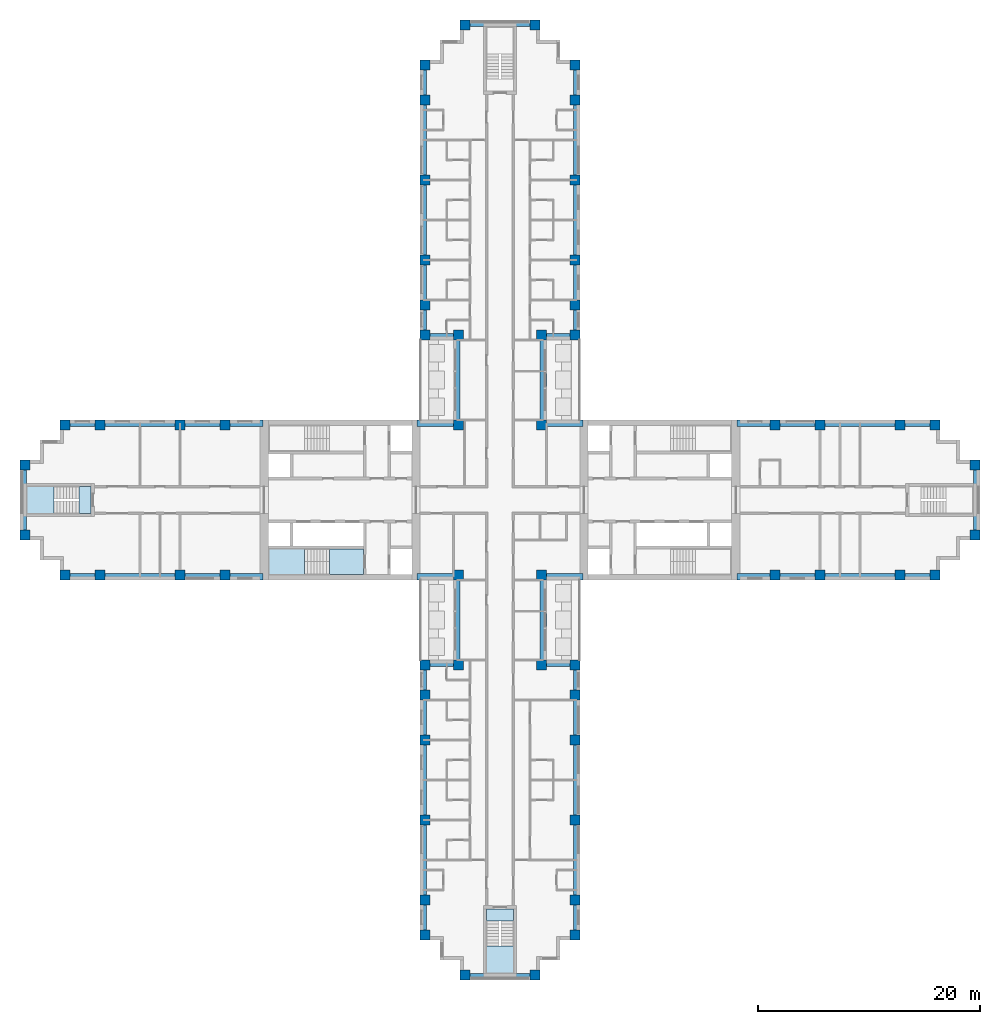
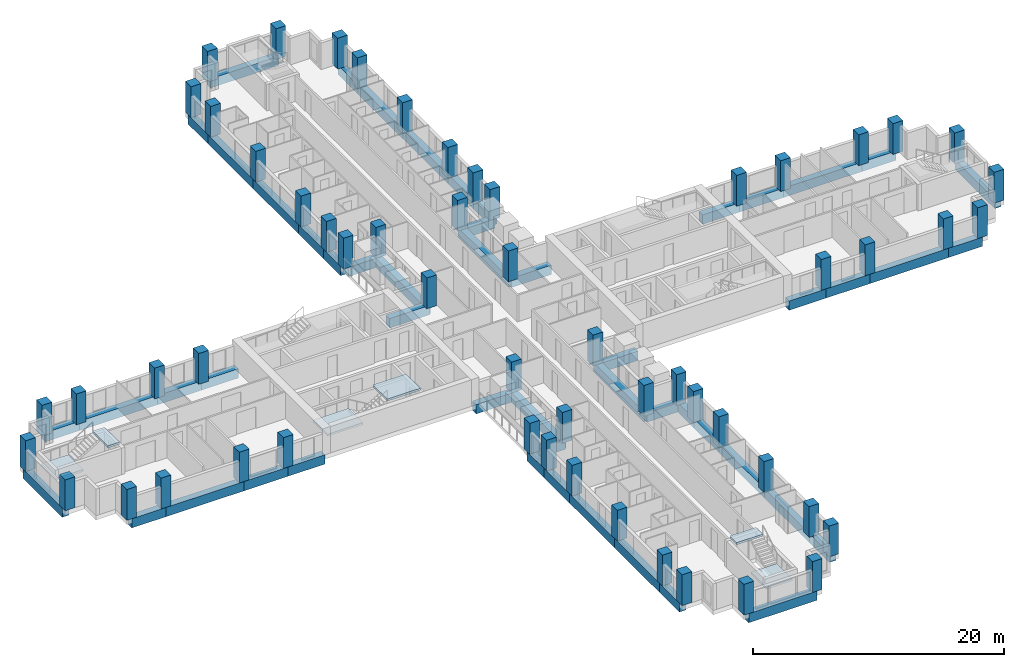
# One storey, part 1 of 15: 56 columns, 52 beams, 6 slabs, 3 elements without a shape of their own.
"""IFC4 building model written with IfcOpenShell, lengths in metres."""

from ifc_helpers import new_model, si_unit, direction, frame, origin, origin_2d, place, context, subcontext, project, spatial, polyline, rectangle, outline, extrude, material, layer, layer_set, material_profile, profile_set, type_object, element, aggregate, save


model = new_model("IFC4")

# Units and contexts
model_context = context("Model", 3, precision=1e-05, world=origin(), true_north=direction((0.0, 1.0)))
body_context = subcontext(model_context, "Body", "Model", "MODEL_VIEW")
ifc_project = project(units=[si_unit("LENGTHUNIT", "METRE"), si_unit("AREAUNIT", "SQUARE_METRE"), si_unit("VOLUMEUNIT", "CUBIC_METRE"), si_unit("PLANEANGLEUNIT", "RADIAN"), si_unit("MASSUNIT", "GRAM", prefix="KILO")], contexts=[model_context])

# Site, building, storey
site_placement = place(None, origin())
site = spatial("IfcSite", under=ifc_project, at=site_placement, CompositionType="ELEMENT")
building_placement = place(site_placement, origin())
building = spatial("IfcBuilding", under=site, at=building_placement, Name="Fustian Cross Tower", CompositionType="ELEMENT")
storey_placement = place(building_placement, frame((0.0, 0.0, 14.699951171875)))
storey = spatial("IfcBuildingStorey", under=building, at=storey_placement, Name="L03", CompositionType="ELEMENT", Elevation=14.699951171875)

# Columns
ifc_material_1 = material(Name="Concrete C70/85", Category="concrete")
ifc_material_profile_1 = material_profile(ifc_material_1, rectangle(XDim=0.89990234375, YDim=0.89990234375, at=origin_2d()), Name="RC 900x900")
ifc_profile_set_1 = profile_set([ifc_material_profile_1], Name="Concrete C70/85")
column_type = type_object("IfcColumnType", Name="COLUMN RC 900x900 C70/85", PredefinedType="COLUMN", material=ifc_profile_set_1)
for number, where, z_axis, x_axis, name in (
    (1, (-42.75, -3.14990234375, 0.0), (0.0, 0.0, 1.0), (1.0, 0.0, 0.0), "COLUMN 001"),
    (2, (-42.75, 3.14990234375, 0.0), (0.0, 0.0, 1.0), (1.0, 0.0, 0.0), "COLUMN 002"),
    (3, (-39.14990234375, -6.75, 0.0), (0.0, 0.0, 1.0), (1.0, 0.0, 0.0), "COLUMN 003"),
    (4, (-39.14990234375, 6.75, 0.0), (0.0, 0.0, 1.0), (1.0, 0.0, 0.0), "COLUMN 004"),
    (5, (-36.0, -6.75, 0.0), (0.0, 0.0, 1.0), (1.0, 0.0, 0.0), "COLUMN 005"),
    (6, (-36.0, 6.75, 0.0), (0.0, 0.0, 1.0), (1.0, 0.0, 0.0), "COLUMN 006"),
    (7, (-28.800048828125, -6.75, 0.0), (0.0, 0.0, 1.0), (1.0, 0.0, 0.0), "COLUMN 007"),
    (8, (-28.800048828125, 6.75, 0.0), (0.0, 0.0, 1.0), (1.0, 0.0, 0.0), "COLUMN 010"),
    (9, (-24.75, -6.75, 0.0), (0.0, 0.0, 1.0), (1.0, 0.0, 0.0), "COLUMN 011"),
    (10, (-24.75, 6.75, 0.0), (0.0, 0.0, 1.0), (1.0, 0.0, 0.0), "COLUMN 012"),
    (11, (-6.75, -39.14990234375, 0.0), (0.0, 0.0, 1.0), (1.0, 0.0, 0.0), "COLUMN 013"),
    (12, (-6.75, -36.0, 0.0), (0.0, 0.0, 1.0), (1.0, 0.0, 0.0), "COLUMN 014"),
    (13, (-6.75, -28.800048828125, 0.0), (0.0, 0.0, 1.0), (1.0, 0.0, 0.0), "COLUMN 015"),
    (14, (-6.75, -21.60009765625, 0.0), (0.0, 0.0, 1.0), (1.0, 0.0, 0.0), "COLUMN 016"),
    (15, (-6.75, -17.550048828125, 0.0), (0.0, 0.0, 1.0), (1.0, 0.0, 0.0), "COLUMN 017"),
    (16, (-6.75, -14.85009765625, 0.0), (0.0, 0.0, 1.0), (1.0, 0.0, 0.0), "COLUMN 018"),
    (17, (-6.75, 14.85009765625, 0.0), (0.0, 0.0, 1.0), (1.0, 0.0, 0.0), "COLUMN 019"),
    (18, (-6.75, 17.550048828125, 0.0), (0.0, 0.0, 1.0), (1.0, 0.0, 0.0), "COLUMN 020"),
    (19, (-6.75, 21.60009765625, 0.0), (0.0, 0.0, 1.0), (1.0, 0.0, 0.0), "COLUMN 021"),
    (20, (-6.75, 28.800048828125, 0.0), (0.0, 0.0, 1.0), (1.0, 0.0, 0.0), "COLUMN 022"),
    (21, (-6.75, 36.0, 0.0), (0.0, 0.0, 1.0), (1.0, 0.0, 0.0), "COLUMN 023"),
    (22, (-6.75, 39.14990234375, 0.0), (0.0, 0.0, 1.0), (1.0, 0.0, 0.0), "COLUMN 024"),
    (23, (-3.75, -14.85009765625, 0.0), (0.0, 0.0, 1.0), (1.0, 0.0, 0.0), "COLUMN 025"),
    (24, (-3.75, -6.75, 0.0), (0.0, 0.0, 1.0), (1.0, 0.0, 0.0), "COLUMN 026"),
    (25, (-3.75, 6.75, 0.0), (0.0, 0.0, 1.0), (1.0, 0.0, 0.0), "COLUMN 027"),
    (26, (-3.75, 14.85009765625, 0.0), (0.0, 0.0, 1.0), (1.0, 0.0, 0.0), "COLUMN 028"),
    (27, (-3.14990234375, -42.75, 0.0), (0.0, 0.0, 1.0), (1.0, 0.0, 0.0), "COLUMN 029"),
    (28, (-3.14990234375, 42.75, 0.0), (0.0, 0.0, 1.0), (1.0, 0.0, 0.0), "COLUMN 032"),
    (29, (3.14990234375, -42.75, 0.0), (0.0, 0.0, 1.0), (1.0, 0.0, 0.0), "COLUMN 033"),
    (30, (3.14990234375, 42.75, 0.0), (0.0, 0.0, 1.0), (1.0, 0.0, 0.0), "COLUMN 036"),
    (31, (3.75, -14.85009765625, 0.0), (0.0, 0.0, 1.0), (1.0, 0.0, 0.0), "COLUMN 037"),
    (32, (3.75, -6.75, 0.0), (0.0, 0.0, 1.0), (1.0, 0.0, 0.0), "COLUMN 038"),
    (33, (3.75, 6.75, 0.0), (0.0, 0.0, 1.0), (1.0, 0.0, 0.0), "COLUMN 039"),
    (34, (3.75, 14.85009765625, 0.0), (0.0, 0.0, 1.0), (1.0, 0.0, 0.0), "COLUMN 040"),
    (35, (6.75, -39.14990234375, 0.0), (0.0, 0.0, 1.0), (1.0, 0.0, 0.0), "COLUMN 041"),
    (36, (6.75, -36.0, 0.0), (0.0, 0.0, 1.0), (1.0, 0.0, 0.0), "COLUMN 042"),
    (37, (6.75, -28.800048828125, 0.0), (0.0, 0.0, 1.0), (1.0, 0.0, 0.0), "COLUMN 043"),
    (38, (6.75, -21.60009765625, 0.0), (0.0, 0.0, 1.0), (1.0, 0.0, 0.0), "COLUMN 044"),
    (39, (6.75, -17.550048828125, 0.0), (0.0, 0.0, 1.0), (1.0, 0.0, 0.0), "COLUMN 045"),
    (40, (6.75, -14.85009765625, 0.0), (0.0, 0.0, 1.0), (1.0, 0.0, 0.0), "COLUMN 046"),
    (41, (6.75, 14.85009765625, 0.0), (0.0, 0.0, 1.0), (1.0, 0.0, 0.0), "COLUMN 047"),
    (42, (6.75, 17.550048828125, 0.0), (0.0, 0.0, 1.0), (1.0, 0.0, 0.0), "COLUMN 048"),
    (43, (6.75, 21.60009765625, 0.0), (0.0, 0.0, 1.0), (1.0, 0.0, 0.0), "COLUMN 049"),
    (44, (6.75, 28.800048828125, 0.0), (0.0, 0.0, 1.0), (1.0, 0.0, 0.0), "COLUMN 050"),
    (45, (6.75, 36.0, 0.0), (0.0, 0.0, 1.0), (1.0, 0.0, 0.0), "COLUMN 051"),
    (46, (6.75, 39.14990234375, 0.0), (0.0, 0.0, 1.0), (1.0, 0.0, 0.0), "COLUMN 052"),
    (47, (24.75, -6.75, 0.0), (0.0, 0.0, 1.0), (1.0, 0.0, 0.0), "COLUMN 053"),
    (48, (24.75, 6.75, 0.0), (0.0, 0.0, 1.0), (1.0, 0.0, 0.0), "COLUMN 054"),
    (49, (28.800048828125, -6.75, 0.0), (0.0, 0.0, 1.0), (1.0, 0.0, 0.0), "COLUMN 055"),
    (50, (28.800048828125, 6.75, 0.0), (0.0, 0.0, 1.0), (1.0, 0.0, 0.0), "COLUMN 058"),
    (51, (36.0, -6.75, 0.0), (0.0, 0.0, 1.0), (1.0, 0.0, 0.0), "COLUMN 059"),
    (52, (36.0, 6.75, 0.0), (0.0, 0.0, 1.0), (1.0, 0.0, 0.0), "COLUMN 060"),
    (53, (39.14990234375, -6.75, 0.0), (0.0, 0.0, 1.0), (1.0, 0.0, 0.0), "COLUMN 061"),
    (54, (39.14990234375, 6.75, 0.0), (0.0, 0.0, 1.0), (1.0, 0.0, 0.0), "COLUMN 062"),
    (55, (42.75, -3.14990234375, 0.0), (0.0, 0.0, 1.0), (1.0, 0.0, 0.0), "COLUMN 063"),
    (56, (42.75, 3.14990234375, 0.0), (0.0, 0.0, 1.0), (1.0, 0.0, 0.0), "COLUMN 064"),
):
    element("IfcColumn", number, at=place(storey_placement, frame(where, z_axis=z_axis, x_axis=x_axis)), inside=storey, type_object=column_type, Name=name, PredefinedType="COLUMN", context=body_context, shape_type="SweptSolid", body=[
        extrude(rectangle(XDim=0.89990234375, YDim=0.89990234375, at=origin_2d()), origin(), (0.0, 0.0, 1.0), 3.0),
    ])

# Beams
ifc_material_2 = material(Name="Concrete C50/60", Category="concrete")
ifc_material_profile_2 = material_profile(ifc_material_2, rectangle(XDim=0.60009765625, YDim=0.89990234375, at=origin_2d()), Name="RC 600x900")
ifc_profile_set_2 = profile_set([ifc_material_profile_2], Name="Concrete C50/60")
beam_type = type_object("IfcBeamType", Name="EDGE BEAM RC 600x900 C50/60", PredefinedType="SPANDREL", material=ifc_profile_set_2)
beam_1_placement = place(storey_placement, frame((21.35009765625, -6.89990234375, -0.449951171875), z_axis=(1.0, 0.0, 0.0), x_axis=(0.0, 1.0, 0.0)))
element("IfcBeam", 57, at=beam_1_placement, inside=storey, type_object=beam_type, Name="EDGE BEAM L03-01", PredefinedType="SPANDREL", context=body_context, shape_type="SweptSolid", body=[
    extrude(rectangle(XDim=0.60009765625, YDim=0.89990234375, at=origin_2d()), origin(), (0.0, 0.0, 1.0), 3.39990234375),
])
beam_2_placement = place(storey_placement, frame((24.75, -6.89990234375, -0.449951171875), z_axis=(1.0, 0.0, 0.0), x_axis=(0.0, 1.0, 0.0)))
element("IfcBeam", 58, at=beam_2_placement, inside=storey, type_object=beam_type, Name="EDGE BEAM L03-02", PredefinedType="SPANDREL", context=body_context, shape_type="SweptSolid", body=[
    extrude(rectangle(XDim=0.60009765625, YDim=0.89990234375, at=origin_2d()), origin(), (0.0, 0.0, 1.0), 4.050048828125),
])
beam_3_placement = place(storey_placement, frame((28.800048828125, -6.89990234375, -0.449951171875), z_axis=(1.0, 0.0, 0.0), x_axis=(0.0, 1.0, 0.0)))
element("IfcBeam", 59, at=beam_3_placement, inside=storey, type_object=beam_type, Name="EDGE BEAM L03-03", PredefinedType="SPANDREL", context=body_context, shape_type="SweptSolid", body=[
    extrude(rectangle(XDim=0.60009765625, YDim=0.89990234375, at=origin_2d()), origin(), (0.0, 0.0, 1.0), 7.199951171875),
])
beam_4_placement = place(storey_placement, frame((36.0, -6.89990234375, -0.449951171875), z_axis=(1.0, 0.0, 0.0), x_axis=(0.0, 1.0, 0.0)))
element("IfcBeam", 60, at=beam_4_placement, inside=storey, type_object=beam_type, Name="EDGE BEAM L03-04", PredefinedType="SPANDREL", context=body_context, shape_type="SweptSolid", body=[
    extrude(rectangle(XDim=0.60009765625, YDim=0.89990234375, at=origin_2d()), origin(), (0.0, 0.0, 1.0), 3.14990234375),
])
beam_5_placement = place(storey_placement, frame((42.89990234375, -3.14990234375, -0.449951171875), z_axis=(0.0, 1.0, 0.0), x_axis=(-1.0, 0.0, 0.0)))
element("IfcBeam", 61, at=beam_5_placement, inside=storey, type_object=beam_type, Name="EDGE BEAM L03-05", PredefinedType="SPANDREL", context=body_context, shape_type="SweptSolid", body=[
    extrude(rectangle(XDim=0.60009765625, YDim=0.89990234375, at=origin_2d()), origin(), (0.0, 0.0, 1.0), 6.2998046875),
])
beam_6_placement = place(storey_placement, frame((39.14990234375, 6.89990234375, -0.449951171875), z_axis=(-1.0, 0.0, 0.0), x_axis=(0.0, -1.0, 0.0)))
element("IfcBeam", 62, at=beam_6_placement, inside=storey, type_object=beam_type, Name="EDGE BEAM L03-06", PredefinedType="SPANDREL", context=body_context, shape_type="SweptSolid", body=[
    extrude(rectangle(XDim=0.60009765625, YDim=0.89990234375, at=origin_2d()), origin(), (0.0, 0.0, 1.0), 3.14990234375),
])
beam_7_placement = place(storey_placement, frame((36.0, 6.89990234375, -0.449951171875), z_axis=(-1.0, 0.0, 0.0), x_axis=(0.0, -1.0, 0.0)))
element("IfcBeam", 63, at=beam_7_placement, inside=storey, type_object=beam_type, Name="EDGE BEAM L03-07", PredefinedType="SPANDREL", context=body_context, shape_type="SweptSolid", body=[
    extrude(rectangle(XDim=0.60009765625, YDim=0.89990234375, at=origin_2d()), origin(), (0.0, 0.0, 1.0), 7.199951171875),
])
beam_8_placement = place(storey_placement, frame((28.800048828125, 6.89990234375, -0.449951171875), z_axis=(-1.0, 0.0, 0.0), x_axis=(0.0, -1.0, 0.0)))
element("IfcBeam", 64, at=beam_8_placement, inside=storey, type_object=beam_type, Name="EDGE BEAM L03-08", PredefinedType="SPANDREL", context=body_context, shape_type="SweptSolid", body=[
    extrude(rectangle(XDim=0.60009765625, YDim=0.89990234375, at=origin_2d()), origin(), (0.0, 0.0, 1.0), 4.050048828125),
])
beam_9_placement = place(storey_placement, frame((24.75, 6.89990234375, -0.449951171875), z_axis=(-1.0, 0.0, 0.0), x_axis=(0.0, -1.0, 0.0)))
element("IfcBeam", 65, at=beam_9_placement, inside=storey, type_object=beam_type, Name="EDGE BEAM L03-09", PredefinedType="SPANDREL", context=body_context, shape_type="SweptSolid", body=[
    extrude(rectangle(XDim=0.60009765625, YDim=0.89990234375, at=origin_2d()), origin(), (0.0, 0.0, 1.0), 3.39990234375),
])
beam_10_placement = place(storey_placement, frame((7.449951171875, 6.89990234375, -0.449951171875), z_axis=(-1.0, 0.0, 0.0), x_axis=(0.0, -1.0, 0.0)))
element("IfcBeam", 66, at=beam_10_placement, inside=storey, type_object=beam_type, Name="EDGE BEAM L03-10", PredefinedType="SPANDREL", context=body_context, shape_type="SweptSolid", body=[
    extrude(rectangle(XDim=0.60009765625, YDim=0.89990234375, at=origin_2d()), origin(), (0.0, 0.0, 1.0), 3.699951171875),
])
beam_11_placement = place(storey_placement, frame((3.89990234375, 6.75, -0.449951171875), z_axis=(0.0, 1.0, 0.0), x_axis=(-1.0, 0.0, 0.0)))
element("IfcBeam", 67, at=beam_11_placement, inside=storey, type_object=beam_type, Name="EDGE BEAM L03-11", PredefinedType="SPANDREL", context=body_context, shape_type="SweptSolid", body=[
    extrude(rectangle(XDim=0.60009765625, YDim=0.89990234375, at=origin_2d()), origin(), (0.0, 0.0, 1.0), 8.10009765625),
])
beam_12_placement = place(storey_placement, frame((3.75, 14.699951171875, -0.449951171875), z_axis=(1.0, 0.0, 0.0), x_axis=(0.0, 1.0, 0.0)))
element("IfcBeam", 68, at=beam_12_placement, inside=storey, type_object=beam_type, Name="EDGE BEAM L03-12", PredefinedType="SPANDREL", context=body_context, shape_type="SweptSolid", body=[
    extrude(rectangle(XDim=0.60009765625, YDim=0.89990234375, at=origin_2d()), origin(), (0.0, 0.0, 1.0), 3.0),
])
beam_13_placement = place(storey_placement, frame((6.89990234375, 14.85009765625, -0.449951171875), z_axis=(0.0, 1.0, 0.0), x_axis=(-1.0, 0.0, 0.0)))
element("IfcBeam", 69, at=beam_13_placement, inside=storey, type_object=beam_type, Name="EDGE BEAM L03-13", PredefinedType="SPANDREL", context=body_context, shape_type="SweptSolid", body=[
    extrude(rectangle(XDim=0.60009765625, YDim=0.89990234375, at=origin_2d()), origin(), (0.0, 0.0, 1.0), 2.699951171875),
])
beam_14_placement = place(storey_placement, frame((6.89990234375, 17.550048828125, -0.449951171875), z_axis=(0.0, 1.0, 0.0), x_axis=(-1.0, 0.0, 0.0)))
element("IfcBeam", 70, at=beam_14_placement, inside=storey, type_object=beam_type, Name="EDGE BEAM L03-14", PredefinedType="SPANDREL", context=body_context, shape_type="SweptSolid", body=[
    extrude(rectangle(XDim=0.60009765625, YDim=0.89990234375, at=origin_2d()), origin(), (0.0, 0.0, 1.0), 4.050048828125),
])
for number, where, z_axis, x_axis, name in (
    (71, (6.89990234375, 21.60009765625, -0.449951171875), (0.0, 1.0, 0.0), (-1.0, 0.0, 0.0), "EDGE BEAM L03-15"),
    (72, (6.89990234375, 28.800048828125, -0.449951171875), (0.0, 1.0, 0.0), (-1.0, 0.0, 0.0), "EDGE BEAM L03-16"),
):
    element("IfcBeam", number, at=place(storey_placement, frame(where, z_axis=z_axis, x_axis=x_axis)), inside=storey, type_object=beam_type, Name=name, PredefinedType="SPANDREL", context=body_context, shape_type="SweptSolid", body=[
        extrude(rectangle(XDim=0.60009765625, YDim=0.89990234375, at=origin_2d()), origin(), (0.0, 0.0, 1.0), 7.199951171875),
    ])
beam_15_placement = place(storey_placement, frame((6.89990234375, 36.0, -0.449951171875), z_axis=(0.0, 1.0, 0.0), x_axis=(-1.0, 0.0, 0.0)))
element("IfcBeam", 73, at=beam_15_placement, inside=storey, type_object=beam_type, Name="EDGE BEAM L03-17", PredefinedType="SPANDREL", context=body_context, shape_type="SweptSolid", body=[
    extrude(rectangle(XDim=0.60009765625, YDim=0.89990234375, at=origin_2d()), origin(), (0.0, 0.0, 1.0), 3.14990234375),
])
beam_16_placement = place(storey_placement, frame((3.14990234375, 42.89990234375, -0.449951171875), z_axis=(-1.0, 0.0, 0.0), x_axis=(0.0, -1.0, 0.0)))
element("IfcBeam", 74, at=beam_16_placement, inside=storey, type_object=beam_type, Name="EDGE BEAM L03-18", PredefinedType="SPANDREL", context=body_context, shape_type="SweptSolid", body=[
    extrude(rectangle(XDim=0.60009765625, YDim=0.89990234375, at=origin_2d()), origin(), (0.0, 0.0, 1.0), 6.2998046875),
])
beam_17_placement = place(storey_placement, frame((-6.89990234375, 39.14990234375, -0.449951171875), z_axis=(0.0, -1.0, 0.0), x_axis=(1.0, 0.0, 0.0)))
element("IfcBeam", 75, at=beam_17_placement, inside=storey, type_object=beam_type, Name="EDGE BEAM L03-19", PredefinedType="SPANDREL", context=body_context, shape_type="SweptSolid", body=[
    extrude(rectangle(XDim=0.60009765625, YDim=0.89990234375, at=origin_2d()), origin(), (0.0, 0.0, 1.0), 3.14990234375),
])
for number, where, z_axis, x_axis, name in (
    (76, (-6.89990234375, 36.0, -0.449951171875), (0.0, -1.0, 0.0), (1.0, 0.0, 0.0), "EDGE BEAM L03-20"),
    (77, (-6.89990234375, 28.800048828125, -0.449951171875), (0.0, -1.0, 0.0), (1.0, 0.0, 0.0), "EDGE BEAM L03-21"),
):
    element("IfcBeam", number, at=place(storey_placement, frame(where, z_axis=z_axis, x_axis=x_axis)), inside=storey, type_object=beam_type, Name=name, PredefinedType="SPANDREL", context=body_context, shape_type="SweptSolid", body=[
        extrude(rectangle(XDim=0.60009765625, YDim=0.89990234375, at=origin_2d()), origin(), (0.0, 0.0, 1.0), 7.199951171875),
    ])
beam_18_placement = place(storey_placement, frame((-6.89990234375, 21.60009765625, -0.449951171875), z_axis=(0.0, -1.0, 0.0), x_axis=(1.0, 0.0, 0.0)))
element("IfcBeam", 78, at=beam_18_placement, inside=storey, type_object=beam_type, Name="EDGE BEAM L03-22", PredefinedType="SPANDREL", context=body_context, shape_type="SweptSolid", body=[
    extrude(rectangle(XDim=0.60009765625, YDim=0.89990234375, at=origin_2d()), origin(), (0.0, 0.0, 1.0), 4.050048828125),
])
beam_19_placement = place(storey_placement, frame((-6.89990234375, 17.550048828125, -0.449951171875), z_axis=(0.0, -1.0, 0.0), x_axis=(1.0, 0.0, 0.0)))
element("IfcBeam", 79, at=beam_19_placement, inside=storey, type_object=beam_type, Name="EDGE BEAM L03-23", PredefinedType="SPANDREL", context=body_context, shape_type="SweptSolid", body=[
    extrude(rectangle(XDim=0.60009765625, YDim=0.89990234375, at=origin_2d()), origin(), (0.0, 0.0, 1.0), 2.699951171875),
])
beam_20_placement = place(storey_placement, frame((-6.75, 14.699951171875, -0.449951171875), z_axis=(1.0, 0.0, 0.0), x_axis=(0.0, 1.0, 0.0)))
element("IfcBeam", 80, at=beam_20_placement, inside=storey, type_object=beam_type, Name="EDGE BEAM L03-24", PredefinedType="SPANDREL", context=body_context, shape_type="SweptSolid", body=[
    extrude(rectangle(XDim=0.60009765625, YDim=0.89990234375, at=origin_2d()), origin(), (0.0, 0.0, 1.0), 3.0),
])
beam_21_placement = place(storey_placement, frame((-3.89990234375, 14.85009765625, -0.449951171875), z_axis=(0.0, -1.0, 0.0), x_axis=(1.0, 0.0, 0.0)))
element("IfcBeam", 81, at=beam_21_placement, inside=storey, type_object=beam_type, Name="EDGE BEAM L03-25", PredefinedType="SPANDREL", context=body_context, shape_type="SweptSolid", body=[
    extrude(rectangle(XDim=0.60009765625, YDim=0.89990234375, at=origin_2d()), origin(), (0.0, 0.0, 1.0), 8.10009765625),
])
beam_22_placement = place(storey_placement, frame((-3.75, 6.89990234375, -0.449951171875), z_axis=(-1.0, 0.0, 0.0), x_axis=(0.0, -1.0, 0.0)))
element("IfcBeam", 82, at=beam_22_placement, inside=storey, type_object=beam_type, Name="EDGE BEAM L03-26", PredefinedType="SPANDREL", context=body_context, shape_type="SweptSolid", body=[
    extrude(rectangle(XDim=0.60009765625, YDim=0.89990234375, at=origin_2d()), origin(), (0.0, 0.0, 1.0), 3.699951171875),
])
beam_23_placement = place(storey_placement, frame((-21.35009765625, 6.89990234375, -0.449951171875), z_axis=(-1.0, 0.0, 0.0), x_axis=(0.0, -1.0, 0.0)))
element("IfcBeam", 83, at=beam_23_placement, inside=storey, type_object=beam_type, Name="EDGE BEAM L03-27", PredefinedType="SPANDREL", context=body_context, shape_type="SweptSolid", body=[
    extrude(rectangle(XDim=0.60009765625, YDim=0.89990234375, at=origin_2d()), origin(), (0.0, 0.0, 1.0), 3.39990234375),
])
beam_24_placement = place(storey_placement, frame((-24.75, 6.89990234375, -0.449951171875), z_axis=(-1.0, 0.0, 0.0), x_axis=(0.0, -1.0, 0.0)))
element("IfcBeam", 84, at=beam_24_placement, inside=storey, type_object=beam_type, Name="EDGE BEAM L03-28", PredefinedType="SPANDREL", context=body_context, shape_type="SweptSolid", body=[
    extrude(rectangle(XDim=0.60009765625, YDim=0.89990234375, at=origin_2d()), origin(), (0.0, 0.0, 1.0), 4.050048828125),
])
beam_25_placement = place(storey_placement, frame((-28.800048828125, 6.89990234375, -0.449951171875), z_axis=(-1.0, 0.0, 0.0), x_axis=(0.0, -1.0, 0.0)))
element("IfcBeam", 85, at=beam_25_placement, inside=storey, type_object=beam_type, Name="EDGE BEAM L03-29", PredefinedType="SPANDREL", context=body_context, shape_type="SweptSolid", body=[
    extrude(rectangle(XDim=0.60009765625, YDim=0.89990234375, at=origin_2d()), origin(), (0.0, 0.0, 1.0), 7.199951171875),
])
beam_26_placement = place(storey_placement, frame((-36.0, 6.89990234375, -0.449951171875), z_axis=(-1.0, 0.0, 0.0), x_axis=(0.0, -1.0, 0.0)))
element("IfcBeam", 86, at=beam_26_placement, inside=storey, type_object=beam_type, Name="EDGE BEAM L03-30", PredefinedType="SPANDREL", context=body_context, shape_type="SweptSolid", body=[
    extrude(rectangle(XDim=0.60009765625, YDim=0.89990234375, at=origin_2d()), origin(), (0.0, 0.0, 1.0), 3.14990234375),
])
beam_27_placement = place(storey_placement, frame((-42.89990234375, 3.14990234375, -0.449951171875), z_axis=(0.0, -1.0, 0.0), x_axis=(1.0, 0.0, 0.0)))
element("IfcBeam", 87, at=beam_27_placement, inside=storey, type_object=beam_type, Name="EDGE BEAM L03-31", PredefinedType="SPANDREL", context=body_context, shape_type="SweptSolid", body=[
    extrude(rectangle(XDim=0.60009765625, YDim=0.89990234375, at=origin_2d()), origin(), (0.0, 0.0, 1.0), 6.2998046875),
])
beam_28_placement = place(storey_placement, frame((-39.14990234375, -6.89990234375, -0.449951171875), z_axis=(1.0, 0.0, 0.0), x_axis=(0.0, 1.0, 0.0)))
element("IfcBeam", 88, at=beam_28_placement, inside=storey, type_object=beam_type, Name="EDGE BEAM L03-32", PredefinedType="SPANDREL", context=body_context, shape_type="SweptSolid", body=[
    extrude(rectangle(XDim=0.60009765625, YDim=0.89990234375, at=origin_2d()), origin(), (0.0, 0.0, 1.0), 3.14990234375),
])
beam_29_placement = place(storey_placement, frame((-36.0, -6.89990234375, -0.449951171875), z_axis=(1.0, 0.0, 0.0), x_axis=(0.0, 1.0, 0.0)))
element("IfcBeam", 89, at=beam_29_placement, inside=storey, type_object=beam_type, Name="EDGE BEAM L03-33", PredefinedType="SPANDREL", context=body_context, shape_type="SweptSolid", body=[
    extrude(rectangle(XDim=0.60009765625, YDim=0.89990234375, at=origin_2d()), origin(), (0.0, 0.0, 1.0), 7.199951171875),
])
beam_30_placement = place(storey_placement, frame((-28.800048828125, -6.89990234375, -0.449951171875), z_axis=(1.0, 0.0, 0.0), x_axis=(0.0, 1.0, 0.0)))
element("IfcBeam", 90, at=beam_30_placement, inside=storey, type_object=beam_type, Name="EDGE BEAM L03-34", PredefinedType="SPANDREL", context=body_context, shape_type="SweptSolid", body=[
    extrude(rectangle(XDim=0.60009765625, YDim=0.89990234375, at=origin_2d()), origin(), (0.0, 0.0, 1.0), 4.050048828125),
])
beam_31_placement = place(storey_placement, frame((-24.75, -6.89990234375, -0.449951171875), z_axis=(1.0, 0.0, 0.0), x_axis=(0.0, 1.0, 0.0)))
element("IfcBeam", 91, at=beam_31_placement, inside=storey, type_object=beam_type, Name="EDGE BEAM L03-35", PredefinedType="SPANDREL", context=body_context, shape_type="SweptSolid", body=[
    extrude(rectangle(XDim=0.60009765625, YDim=0.89990234375, at=origin_2d()), origin(), (0.0, 0.0, 1.0), 3.39990234375),
])
beam_32_placement = place(storey_placement, frame((-7.449951171875, -6.89990234375, -0.449951171875), z_axis=(1.0, 0.0, 0.0), x_axis=(0.0, 1.0, 0.0)))
element("IfcBeam", 92, at=beam_32_placement, inside=storey, type_object=beam_type, Name="EDGE BEAM L03-36", PredefinedType="SPANDREL", context=body_context, shape_type="SweptSolid", body=[
    extrude(rectangle(XDim=0.60009765625, YDim=0.89990234375, at=origin_2d()), origin(), (0.0, 0.0, 1.0), 3.699951171875),
])
beam_33_placement = place(storey_placement, frame((-3.89990234375, -6.75, -0.449951171875), z_axis=(0.0, -1.0, 0.0), x_axis=(1.0, 0.0, 0.0)))
element("IfcBeam", 93, at=beam_33_placement, inside=storey, type_object=beam_type, Name="EDGE BEAM L03-37", PredefinedType="SPANDREL", context=body_context, shape_type="SweptSolid", body=[
    extrude(rectangle(XDim=0.60009765625, YDim=0.89990234375, at=origin_2d()), origin(), (0.0, 0.0, 1.0), 8.10009765625),
])
beam_34_placement = place(storey_placement, frame((-3.75, -14.699951171875, -0.449951171875), z_axis=(-1.0, 0.0, 0.0), x_axis=(0.0, -1.0, 0.0)))
element("IfcBeam", 94, at=beam_34_placement, inside=storey, type_object=beam_type, Name="EDGE BEAM L03-38", PredefinedType="SPANDREL", context=body_context, shape_type="SweptSolid", body=[
    extrude(rectangle(XDim=0.60009765625, YDim=0.89990234375, at=origin_2d()), origin(), (0.0, 0.0, 1.0), 3.0),
])
beam_35_placement = place(storey_placement, frame((-6.89990234375, -14.85009765625, -0.449951171875), z_axis=(0.0, -1.0, 0.0), x_axis=(1.0, 0.0, 0.0)))
element("IfcBeam", 95, at=beam_35_placement, inside=storey, type_object=beam_type, Name="EDGE BEAM L03-39", PredefinedType="SPANDREL", context=body_context, shape_type="SweptSolid", body=[
    extrude(rectangle(XDim=0.60009765625, YDim=0.89990234375, at=origin_2d()), origin(), (0.0, 0.0, 1.0), 2.699951171875),
])
beam_36_placement = place(storey_placement, frame((-6.89990234375, -17.550048828125, -0.449951171875), z_axis=(0.0, -1.0, 0.0), x_axis=(1.0, 0.0, 0.0)))
element("IfcBeam", 96, at=beam_36_placement, inside=storey, type_object=beam_type, Name="EDGE BEAM L03-40", PredefinedType="SPANDREL", context=body_context, shape_type="SweptSolid", body=[
    extrude(rectangle(XDim=0.60009765625, YDim=0.89990234375, at=origin_2d()), origin(), (0.0, 0.0, 1.0), 4.050048828125),
])
for number, where, z_axis, x_axis, name in (
    (97, (-6.89990234375, -21.60009765625, -0.449951171875), (0.0, -1.0, 0.0), (1.0, 0.0, 0.0), "EDGE BEAM L03-41"),
    (98, (-6.89990234375, -28.800048828125, -0.449951171875), (0.0, -1.0, 0.0), (1.0, 0.0, 0.0), "EDGE BEAM L03-42"),
):
    element("IfcBeam", number, at=place(storey_placement, frame(where, z_axis=z_axis, x_axis=x_axis)), inside=storey, type_object=beam_type, Name=name, PredefinedType="SPANDREL", context=body_context, shape_type="SweptSolid", body=[
        extrude(rectangle(XDim=0.60009765625, YDim=0.89990234375, at=origin_2d()), origin(), (0.0, 0.0, 1.0), 7.199951171875),
    ])
beam_37_placement = place(storey_placement, frame((-6.89990234375, -36.0, -0.449951171875), z_axis=(0.0, -1.0, 0.0), x_axis=(1.0, 0.0, 0.0)))
element("IfcBeam", 99, at=beam_37_placement, inside=storey, type_object=beam_type, Name="EDGE BEAM L03-43", PredefinedType="SPANDREL", context=body_context, shape_type="SweptSolid", body=[
    extrude(rectangle(XDim=0.60009765625, YDim=0.89990234375, at=origin_2d()), origin(), (0.0, 0.0, 1.0), 3.14990234375),
])
beam_38_placement = place(storey_placement, frame((-3.14990234375, -42.89990234375, -0.449951171875), z_axis=(1.0, 0.0, 0.0), x_axis=(0.0, 1.0, 0.0)))
element("IfcBeam", 100, at=beam_38_placement, inside=storey, type_object=beam_type, Name="EDGE BEAM L03-44", PredefinedType="SPANDREL", context=body_context, shape_type="SweptSolid", body=[
    extrude(rectangle(XDim=0.60009765625, YDim=0.89990234375, at=origin_2d()), origin(), (0.0, 0.0, 1.0), 6.2998046875),
])
beam_39_placement = place(storey_placement, frame((6.89990234375, -39.14990234375, -0.449951171875), z_axis=(0.0, 1.0, 0.0), x_axis=(-1.0, 0.0, 0.0)))
element("IfcBeam", 101, at=beam_39_placement, inside=storey, type_object=beam_type, Name="EDGE BEAM L03-45", PredefinedType="SPANDREL", context=body_context, shape_type="SweptSolid", body=[
    extrude(rectangle(XDim=0.60009765625, YDim=0.89990234375, at=origin_2d()), origin(), (0.0, 0.0, 1.0), 3.14990234375),
])
for number, where, z_axis, x_axis, name in (
    (102, (6.89990234375, -36.0, -0.449951171875), (0.0, 1.0, 0.0), (-1.0, 0.0, 0.0), "EDGE BEAM L03-46"),
    (103, (6.89990234375, -28.800048828125, -0.449951171875), (0.0, 1.0, 0.0), (-1.0, 0.0, 0.0), "EDGE BEAM L03-47"),
):
    element("IfcBeam", number, at=place(storey_placement, frame(where, z_axis=z_axis, x_axis=x_axis)), inside=storey, type_object=beam_type, Name=name, PredefinedType="SPANDREL", context=body_context, shape_type="SweptSolid", body=[
        extrude(rectangle(XDim=0.60009765625, YDim=0.89990234375, at=origin_2d()), origin(), (0.0, 0.0, 1.0), 7.199951171875),
    ])
beam_40_placement = place(storey_placement, frame((6.89990234375, -21.60009765625, -0.449951171875), z_axis=(0.0, 1.0, 0.0), x_axis=(-1.0, 0.0, 0.0)))
element("IfcBeam", 104, at=beam_40_placement, inside=storey, type_object=beam_type, Name="EDGE BEAM L03-48", PredefinedType="SPANDREL", context=body_context, shape_type="SweptSolid", body=[
    extrude(rectangle(XDim=0.60009765625, YDim=0.89990234375, at=origin_2d()), origin(), (0.0, 0.0, 1.0), 4.050048828125),
])
beam_41_placement = place(storey_placement, frame((6.89990234375, -17.550048828125, -0.449951171875), z_axis=(0.0, 1.0, 0.0), x_axis=(-1.0, 0.0, 0.0)))
element("IfcBeam", 105, at=beam_41_placement, inside=storey, type_object=beam_type, Name="EDGE BEAM L03-49", PredefinedType="SPANDREL", context=body_context, shape_type="SweptSolid", body=[
    extrude(rectangle(XDim=0.60009765625, YDim=0.89990234375, at=origin_2d()), origin(), (0.0, 0.0, 1.0), 2.699951171875),
])
beam_42_placement = place(storey_placement, frame((6.75, -14.699951171875, -0.449951171875), z_axis=(-1.0, 0.0, 0.0), x_axis=(0.0, -1.0, 0.0)))
element("IfcBeam", 106, at=beam_42_placement, inside=storey, type_object=beam_type, Name="EDGE BEAM L03-50", PredefinedType="SPANDREL", context=body_context, shape_type="SweptSolid", body=[
    extrude(rectangle(XDim=0.60009765625, YDim=0.89990234375, at=origin_2d()), origin(), (0.0, 0.0, 1.0), 3.0),
])
beam_43_placement = place(storey_placement, frame((3.89990234375, -14.85009765625, -0.449951171875), z_axis=(0.0, 1.0, 0.0), x_axis=(-1.0, 0.0, 0.0)))
element("IfcBeam", 107, at=beam_43_placement, inside=storey, type_object=beam_type, Name="EDGE BEAM L03-51", PredefinedType="SPANDREL", context=body_context, shape_type="SweptSolid", body=[
    extrude(rectangle(XDim=0.60009765625, YDim=0.89990234375, at=origin_2d()), origin(), (0.0, 0.0, 1.0), 8.10009765625),
])
beam_44_placement = place(storey_placement, frame((3.75, -6.89990234375, -0.449951171875), z_axis=(1.0, 0.0, 0.0), x_axis=(0.0, 1.0, 0.0)))
element("IfcBeam", 108, at=beam_44_placement, inside=storey, type_object=beam_type, Name="EDGE BEAM L03-52", PredefinedType="SPANDREL", context=body_context, shape_type="SweptSolid", body=[
    extrude(rectangle(XDim=0.60009765625, YDim=0.89990234375, at=origin_2d()), origin(), (0.0, 0.0, 1.0), 3.699951171875),
])

# Stair, slabs
ifc_material_3 = material(Name="Concrete C50/60", Category="concrete")
stair_type_1 = type_object("IfcStairType", Name="STAIR 1150 HALF TURN", PredefinedType="HALF_TURN_STAIR", material=ifc_material_3)
stair_1_placement = place(storey_placement, origin())
stair_1 = element("IfcStair", 109, at=stair_1_placement, inside=storey, type_object=stair_type_1, Name="Stair ST4", PredefinedType="HALF_TURN_STAIR")
ifc_material_4 = material(Name="Concrete C50/60", Category="concrete")
ifc_layer = layer(ifc_material_4, 0.199951171875)
ifc_layer_set = layer_set([ifc_layer], Name="Concrete C50/60")
slab_type = type_object("IfcSlabType", Name="STAIR LANDING", PredefinedType="LANDING", material=ifc_layer_set)
slab_1_placement = place(storey_placement, frame((0.0, 0.0, 1.300048828125)))
slab_1 = element("IfcSlab", 110, at=slab_1_placement, type_object=slab_type, Name="ST4 landing 1", PredefinedType="LANDING", context=body_context, shape_type="SweptSolid", body=[
    extrude(outline(polyline([(-17.590087890625, -4.39990234375), (-20.85009765625, -4.39990234375), (-20.85009765625, -6.699951171875), (-17.590087890625, -6.699951171875), (-17.590087890625, -4.39990234375)])), origin(), (0.0, 0.0, 1.0), 0.199951171875),
])
slab_2_placement = place(storey_placement, frame((0.0, 0.0, 2.800048828125)))
slab_2 = element("IfcSlab", 111, at=slab_2_placement, type_object=slab_type, Name="ST4 landing 2", PredefinedType="LANDING", context=body_context, shape_type="SweptSolid", body=[
    extrude(outline(polyline([(-12.300048828125, -4.39990234375), (-15.35009765625, -4.39990234375), (-15.35009765625, -6.699951171875), (-12.300048828125, -6.699951171875), (-12.300048828125, -4.39990234375)])), origin(), (0.0, 0.0, 1.0), 0.199951171875),
])
aggregate(stair_1, [slab_1, slab_2])

ifc_material_5 = material(Name="Concrete C50/60", Category="concrete")
stair_type_2 = type_object("IfcStairType", Name="STAIR 1100 HALF TURN", PredefinedType="HALF_TURN_STAIR", material=ifc_material_5)
stair_2_placement = place(storey_placement, origin())
stair_2 = element("IfcStair", 112, at=stair_2_placement, inside=storey, type_object=stair_type_2, Name="Stair ST6", PredefinedType="HALF_TURN_STAIR")
slab_3_placement = place(storey_placement, frame((0.0, 0.0, 1.300048828125)))
slab_3 = element("IfcSlab", 113, at=slab_3_placement, type_object=slab_type, Name="ST6 landing 1", PredefinedType="LANDING", context=body_context, shape_type="SweptSolid", body=[
    extrude(outline(polyline([(-1.199951171875, -40.139892578125), (-1.199951171875, -42.60009765625), (1.199951171875, -42.60009765625), (1.199951171875, -40.139892578125), (-1.199951171875, -40.139892578125)])), origin(), (0.0, 0.0, 1.0), 0.199951171875),
])
slab_4_placement = place(storey_placement, frame((0.0, 0.0, 2.800048828125)))
slab_4 = element("IfcSlab", 114, at=slab_4_placement, type_object=slab_type, Name="ST6 landing 2", PredefinedType="LANDING", context=body_context, shape_type="SweptSolid", body=[
    extrude(outline(polyline([(-1.199951171875, -36.800048828125), (-1.199951171875, -37.89990234375), (1.199951171875, -37.89990234375), (1.199951171875, -36.800048828125), (-1.199951171875, -36.800048828125)])), origin(), (0.0, 0.0, 1.0), 0.199951171875),
])
aggregate(stair_2, [slab_3, slab_4])

stair_3_placement = place(storey_placement, origin())
stair_3 = element("IfcStair", 115, at=stair_3_placement, inside=storey, type_object=stair_type_2, Name="Stair ST9", PredefinedType="HALF_TURN_STAIR")
slab_5_placement = place(storey_placement, frame((0.0, 0.0, 1.300048828125)))
slab_5 = element("IfcSlab", 116, at=slab_5_placement, type_object=slab_type, Name="ST9 landing 1", PredefinedType="LANDING", context=body_context, shape_type="SweptSolid", body=[
    extrude(outline(polyline([(-40.139892578125, -1.199951171875), (-42.60009765625, -1.199951171875), (-42.60009765625, 1.199951171875), (-40.139892578125, 1.199951171875), (-40.139892578125, -1.199951171875)])), origin(), (0.0, 0.0, 1.0), 0.199951171875),
])
slab_6_placement = place(storey_placement, frame((0.0, 0.0, 2.800048828125)))
slab_6 = element("IfcSlab", 117, at=slab_6_placement, type_object=slab_type, Name="ST9 landing 2", PredefinedType="LANDING", context=body_context, shape_type="SweptSolid", body=[
    extrude(outline(polyline([(-36.800048828125, -1.199951171875), (-37.89990234375, -1.199951171875), (-37.89990234375, 1.199951171875), (-36.800048828125, 1.199951171875), (-36.800048828125, -1.199951171875)])), origin(), (0.0, 0.0, 1.0), 0.199951171875),
])
aggregate(stair_3, [slab_5, slab_6])

save(model, "model.ifc")
